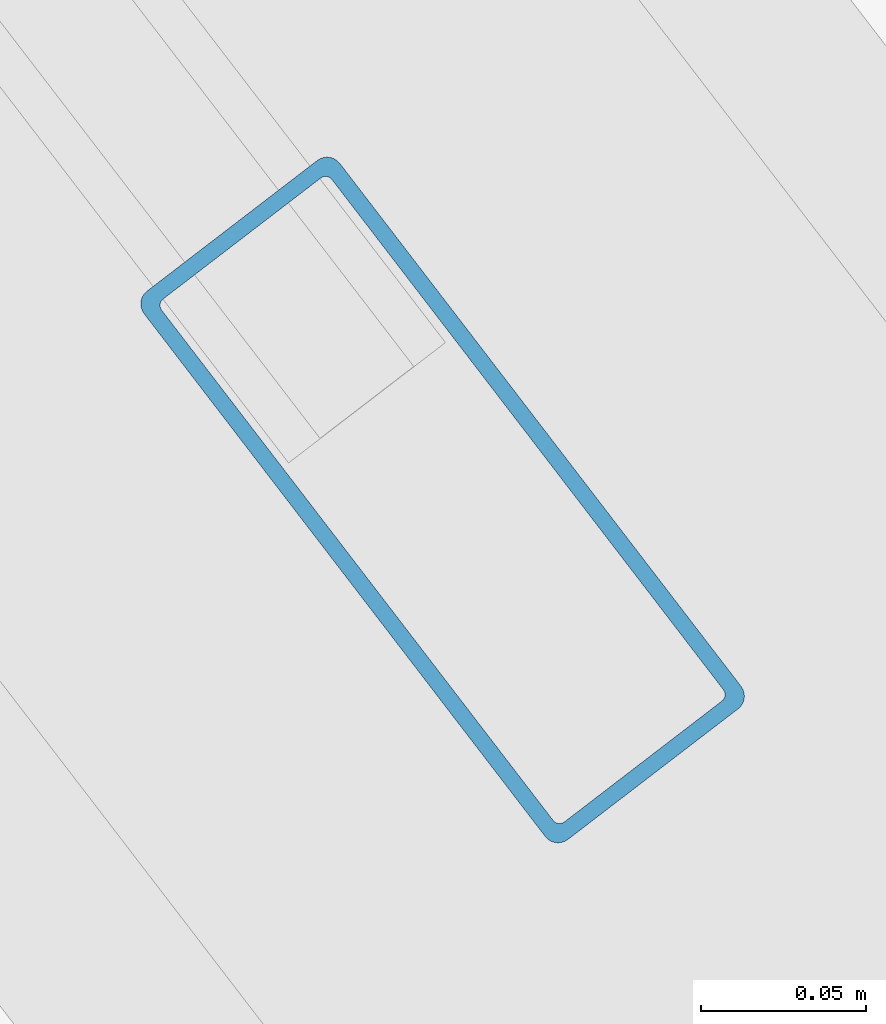
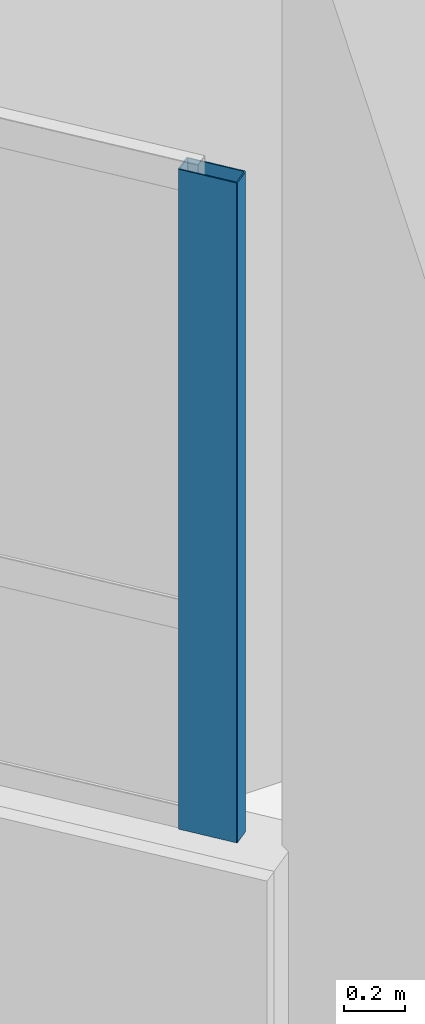
# One storey, part 22 of 129: 1 member, 1 element without a shape of its own.
"""IFC4 building model written with IfcOpenShell, lengths in metres."""

import ifcopenshell
import ifcopenshell.guid

model = None  # the IFC model being written
_history = None  # IfcOwnerHistory: only IFC2X3 demands one
_inside = {}  # id of a spatial element -> (the spatial element, [elements in it])
_under = {}  # id of a project, library or spatial element -> (it, [spatial elements below it])
_declared = {}  # id of a project -> (the project, [libraries it declares])
_typed = {}  # id of a type object -> (the type object, [elements of that type])
_made_of = {}  # id of a material, layer set ... -> (it, [elements and type objects made of it])


def new_model(schema):
    """Start an empty IFC model of exactly this schema.

    Asked for "IFC4X3", IfcOpenShell would pick the latest addendum, in which some entities
    have other attributes; the version numbers below select the first issue.
    IFC2X3 requires an IfcOwnerHistory on every rooted entity: one is made here for all.
    """
    global model, _history
    if schema == "IFC4X3":
        model = ifcopenshell.file(schema_version=(4, 3, 0, 0))
    else:
        model = ifcopenshell.file(schema=schema)
    _inside.clear()
    _under.clear()
    _declared.clear()
    _typed.clear()
    _made_of.clear()
    _history = None
    if model.schema == "IFC2X3":
        org = make("IfcOrganization", Name="unknown")
        user = make(
            "IfcPersonAndOrganization",
            ThePerson=make("IfcPerson", FamilyName="unknown"),
            TheOrganization=org,
        )
        app = make(
            "IfcApplication",
            ApplicationDeveloper=org,
            Version="unknown",
            ApplicationFullName="unknown",
            ApplicationIdentifier="unknown",
        )
        _history = make(
            "IfcOwnerHistory",
            OwningUser=user,
            OwningApplication=app,
            ChangeAction="ADDED",
            CreationDate=0,
        )
    return model


def make(cls, **values):
    """One entity of the class cls with the attributes given. An attribute that is None is left unset."""
    return model.create_entity(
        cls, **{name: value for name, value in values.items() if value is not None}
    )


def rooted(cls, **values):
    """An entity with a GlobalId (a new one), such as an element, a storey or a relation."""
    return make(cls, GlobalId=ifcopenshell.guid.new(), OwnerHistory=_history, **values)


def si_unit(unit_type, name, prefix=None):
    """IfcSIUnit, for example si_unit("LENGTHUNIT", "METRE", prefix="MILLI")."""
    return make("IfcSIUnit", UnitType=unit_type, Prefix=prefix, Name=name)


def assignment(units):
    """IfcUnitAssignment: the units of a project."""
    return None if units is None else make("IfcUnitAssignment", Units=units)


def point(xyz):
    """IfcCartesianPoint."""
    return None if xyz is None else make("IfcCartesianPoint", Coordinates=xyz)


def direction(xyz):
    """IfcDirection."""
    return None if xyz is None else make("IfcDirection", DirectionRatios=xyz)


def frame(location, z_axis=None, x_axis=None):
    """IfcAxis2Placement3D, a coordinate frame: its origin and axes. An axis left out is left unset."""
    return make(
        "IfcAxis2Placement3D",
        Location=point(location),
        Axis=direction(z_axis),
        RefDirection=direction(x_axis),
    )


def frame_2d(location, x_axis=None):
    """IfcAxis2Placement2D, a coordinate frame in the plane: its origin and x axis."""
    return make(
        "IfcAxis2Placement2D", Location=point(location), RefDirection=direction(x_axis)
    )


def origin():
    """The frame at (0, 0, 0) with its axes left unset."""
    return frame((0.0, 0.0, 0.0))


def origin_2d():
    """The frame at (0, 0) in the plane with its x axis left unset."""
    return frame_2d((0.0, 0.0))


def place(relative_to, where):
    """IfcLocalPlacement: puts the frame where relative to a parent placement (None: the world)."""
    return make(
        "IfcLocalPlacement", PlacementRelTo=relative_to, RelativePlacement=where
    )


def context(
    kind, dimensions, precision=None, world=None, true_north=None, identifier=None
):
    """IfcGeometricRepresentationContext, for example the 3D "Model" context."""
    return make(
        "IfcGeometricRepresentationContext",
        ContextIdentifier=identifier,
        ContextType=kind,
        CoordinateSpaceDimension=dimensions,
        Precision=precision,
        WorldCoordinateSystem=world,
        TrueNorth=true_north,
    )


def subcontext(parent, identifier, kind, view, scale=None):
    """IfcGeometricRepresentationSubContext, for example "Body" below "Model"."""
    return make(
        "IfcGeometricRepresentationSubContext",
        ContextIdentifier=identifier,
        ContextType=kind,
        ParentContext=parent,
        TargetScale=scale,
        TargetView=view,
    )


def project(units=None, contexts=None):
    """IfcProject with its units and contexts."""
    return rooted(
        "IfcProject",
        Name="project",
        RepresentationContexts=contexts,
        UnitsInContext=assignment(units),
    )


def spatial(cls, under=None, at=None, **own):
    """A site, building, storey or space (cls), placed at a placement, below another one or the project."""
    s = rooted(cls, ObjectPlacement=at, **own)
    if under is not None:
        _under.setdefault(under.id(), (under, []))[1].append(s)
    return s


def profile(cls, at=None, kind="AREA", **sizes):
    """A parametric profile (cls). Its sizes go by their IFC names, for example OverallWidth=200.0."""
    return make(cls, ProfileType=kind, Position=at, **sizes)


def hollow_rectangle(**sizes):
    """IfcRectangleHollowProfileDef."""
    return profile("IfcRectangleHollowProfileDef", **sizes)


def extrude(swept, where, along, depth):
    """IfcExtrudedAreaSolid: the profile swept, set in the frame where, extruded along a direction by depth."""
    return make(
        "IfcExtrudedAreaSolid",
        SweptArea=swept,
        Position=where,
        ExtrudedDirection=direction(along),
        Depth=depth,
    )


def shape(context_of_items, identifier, shape_type, items):
    """IfcShapeRepresentation: the items that make up one representation, for example the "Body"."""
    return make(
        "IfcShapeRepresentation",
        ContextOfItems=context_of_items,
        RepresentationIdentifier=identifier,
        RepresentationType=shape_type,
        Items=items,
    )


def material(Name=None, Category=None):
    """IfcMaterial."""
    return make("IfcMaterial", Name=Name, Category=Category)


def layer(
    of_material, thickness, ventilated=None, Name=None, Category=None, Priority=None
):
    """IfcMaterialLayer: one layer of a wall or slab, of a material (None: an air gap)."""
    return make(
        "IfcMaterialLayer",
        Material=of_material,
        LayerThickness=thickness,
        IsVentilated=ventilated,
        Name=Name,
        Category=Category,
        Priority=Priority,
    )


def layer_set(layers, Name=None):
    """IfcMaterialLayerSet."""
    return make("IfcMaterialLayerSet", MaterialLayers=layers, LayerSetName=Name)


def material_profile(
    of_material, cross_section, Name=None, Category=None, Priority=None
):
    """IfcMaterialProfile: a cross section and its material."""
    return make(
        "IfcMaterialProfile",
        Name=Name,
        Material=of_material,
        Profile=cross_section,
        Priority=Priority,
        Category=Category,
    )


def profile_set(profiles, Name=None, composite=None):
    """IfcMaterialProfileSet."""
    return make(
        "IfcMaterialProfileSet",
        Name=Name,
        MaterialProfiles=profiles,
        CompositeProfile=composite,
    )


def made_of(thing, what):
    """Note that an element or type object is made of a material, layer set ...; save() writes the relation."""
    if what is not None:
        _made_of.setdefault(what.id(), (what, []))[1].append(thing)
    return thing


def type_object(cls, material=None, **own):
    """A type object (cls), such as IfcWallType, which elements share."""
    return made_of(rooted(cls, **own), material)


def element(
    cls,
    number,
    at=None,
    inside=None,
    cuts=None,
    type_object=None,
    material=None,
    context=None,
    identifier="Body",
    shape_type=None,
    held_by="IfcProductDefinitionShape",
    body=None,
    shapes=None,
    **own,
):
    """One element of the class cls, such as IfcWall. Its Tag is "e" and its number.

    at: its placement. inside: the storey or other place that contains it. cuts: it is an
    opening in that element (IfcRelVoidsElement). A single representation is given by context,
    identifier, shape_type and body (its items); several are given by shapes. held_by: the class
    of the entity that holds the representations. save() writes the other relations.
    """
    e = rooted(cls, Tag="e%d" % number, ObjectPlacement=at, **own)
    if body is not None:
        shapes = [shape(context, identifier, shape_type, body)]
    if shapes is not None:
        e.Representation = make(held_by, Representations=shapes)
    if inside is not None:
        _inside.setdefault(inside.id(), (inside, []))[1].append(e)
    if cuts is not None:
        rooted(
            "IfcRelVoidsElement", RelatingBuildingElement=cuts, RelatedOpeningElement=e
        )
    if type_object is not None:
        _typed.setdefault(type_object.id(), (type_object, []))[1].append(e)
    return made_of(e, material)


def aggregate(whole, parts):
    """IfcRelAggregates: a whole, such as a stair, and the parts it consists of."""
    return rooted("IfcRelAggregates", RelatingObject=whole, RelatedObjects=parts)


def save(model, path):
    """Write the relations noted so far, then the file.

    IfcRelAggregates (storeys below a building ...), IfcRelContainedInSpatialStructure (elements
    in a storey), IfcRelDefinesByType, IfcRelAssociatesMaterial and IfcRelDeclares: one each for
    every whole, place, type object, material and project.
    """
    for whole, parts in _under.values():
        aggregate(whole, parts)
    for where, things in _inside.values():
        rooted(
            "IfcRelContainedInSpatialStructure",
            RelatedElements=things,
            RelatingStructure=where,
        )
    for kind, things in _typed.values():
        rooted("IfcRelDefinesByType", RelatedObjects=things, RelatingType=kind)
    for what, things in _made_of.values():
        rooted("IfcRelAssociatesMaterial", RelatedObjects=things, RelatingMaterial=what)
    for by, libraries in _declared.values():
        rooted("IfcRelDeclares", RelatingContext=by, RelatedDefinitions=libraries)
    model.write(path)


model = new_model("IFC4")

# Units and contexts
model_context = context("Model", 3, precision=1e-05, world=origin(), true_north=direction((0.0, 1.0)))
body_context = subcontext(model_context, "Body", "Model", "MODEL_VIEW")
ifc_project = project(units=[si_unit("LENGTHUNIT", "METRE"), si_unit("AREAUNIT", "SQUARE_METRE"), si_unit("VOLUMEUNIT", "CUBIC_METRE"), si_unit("PLANEANGLEUNIT", "RADIAN"), si_unit("MASSUNIT", "GRAM", prefix="KILO")], contexts=[model_context])

# Site, building, storey
site_placement = place(None, origin())
site = spatial("IfcSite", under=ifc_project, at=site_placement, CompositionType="ELEMENT")
building_placement = place(site_placement, origin())
building = spatial("IfcBuilding", under=site, at=building_placement, Name="Vespera Passage Community Centre", CompositionType="ELEMENT")
storey_placement = place(building_placement, origin())
storey = spatial("IfcBuildingStorey", under=building, at=storey_placement, Name="L00", CompositionType="ELEMENT", Elevation=0.0)

# Curtain wall, member
ifc_material_1 = material(Name="Anodized aluminium 6063-T6", Category="aluminium")
ifc_layer = layer(ifc_material_1, 0.159912109375)
ifc_layer_set = layer_set([ifc_layer], Name="Anodized aluminium 6063-T6")
curtain_wall_type = type_object("IfcCurtainWallType", Name="CW-10E", PredefinedType="NOTDEFINED", material=ifc_layer_set)
curtain_wall_placement = place(storey_placement, origin())
curtain_wall = element("IfcCurtainWall", 1, at=curtain_wall_placement, inside=storey, type_object=curtain_wall_type, Name="V4 L00 Outer Ribbon Curtain Wall 14", PredefinedType="NOTDEFINED")
ifc_material_2 = material(Name="Anodized aluminium 6063-T6", Category="aluminium")
ifc_material_profile = material_profile(ifc_material_2, hollow_rectangle(XDim=0.074951171875, YDim=0.2099609375, WallThickness=0.0048828125, InnerFilletRadius=0.00244140625, OuterFilletRadius=0.0048828125, at=origin_2d()), Name="ALU210X75X5")
ifc_profile_set = profile_set([ifc_material_profile], Name="Anodized aluminium 6063-T6")
member_type = type_object("IfcMemberType", Name="MB-CWM-210E", PredefinedType="MULLION", material=ifc_profile_set)
member_placement = place(storey_placement, frame((44.873779296875, 33.591552734375, 0.820068359375), z_axis=(0.0, 0.0, 1.0), x_axis=(-0.793350257139, -0.608765447029, 0.0)))
member = element("IfcMember", 2, at=member_placement, type_object=member_type, Name="CW-10E mullion 1", PredefinedType="MULLION", context=body_context, shape_type="SweptSolid", body=[
    extrude(hollow_rectangle(XDim=0.074951171875, YDim=0.2099609375, WallThickness=0.0048828125, InnerFilletRadius=0.00244140625, OuterFilletRadius=0.0048828125, at=origin_2d()), origin(), (0.0, 0.0, 1.0), 2.62548828125),
])
aggregate(curtain_wall, [member])

save(model, "model.ifc")
